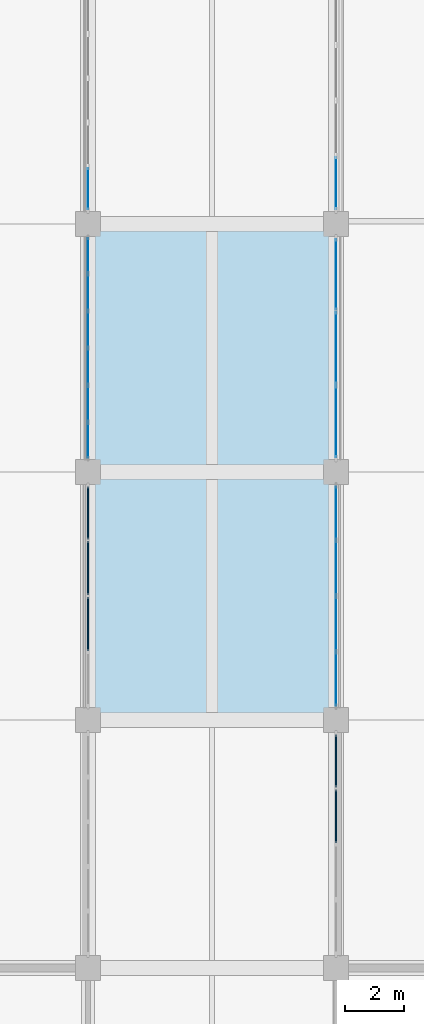
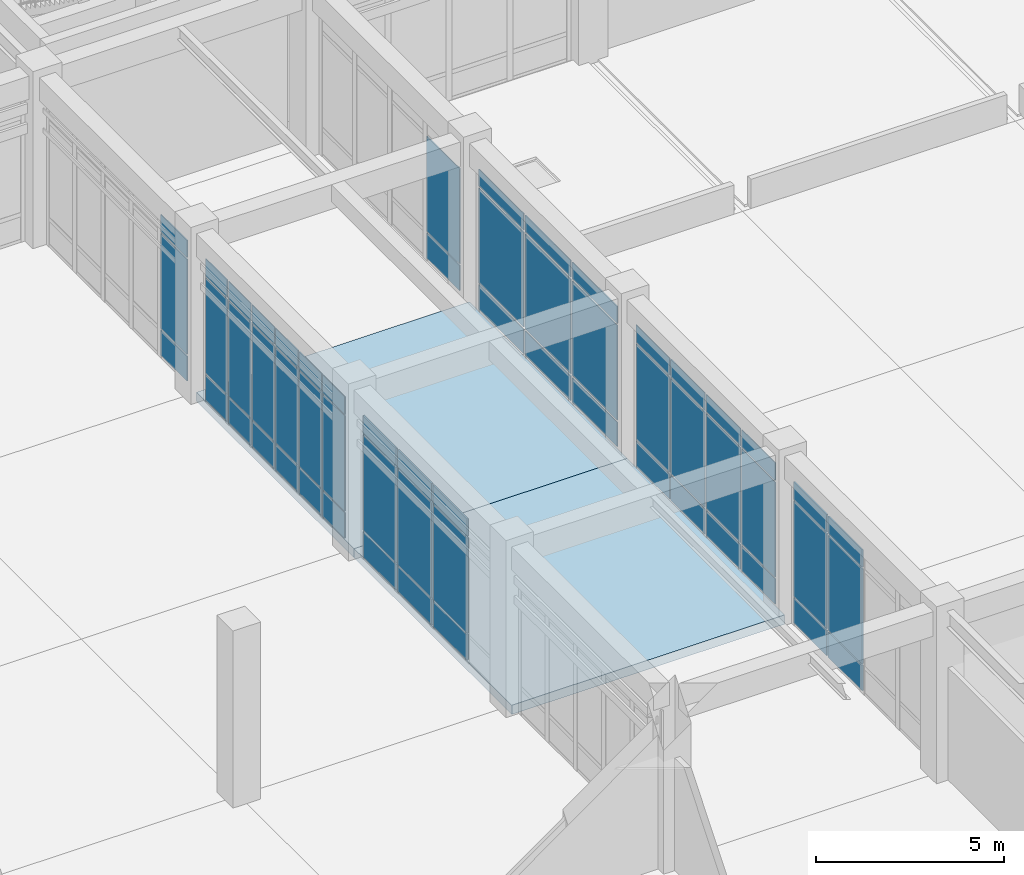
# One storey, part 53 of 91: 59 plates, 2 slabs, 7 elements without a shape of their own.
"""IFC4 building model written with IfcOpenShell, lengths in metres."""

from ifc_helpers import new_model, si_unit, direction, frame, origin, origin_2d, place, context, subcontext, project, spatial, polyline, rectangle, outline, extrude, material, layer, layer_set, type_object, element, aggregate, save


model = new_model("IFC4")

# Units and contexts
model_context = context("Model", 3, precision=1e-05, world=origin(), true_north=direction((0.0, 1.0)))
body_context = subcontext(model_context, "Body", "Model", "MODEL_VIEW")
ifc_project = project(units=[si_unit("LENGTHUNIT", "METRE"), si_unit("AREAUNIT", "SQUARE_METRE"), si_unit("VOLUMEUNIT", "CUBIC_METRE"), si_unit("PLANEANGLEUNIT", "RADIAN"), si_unit("MASSUNIT", "GRAM", prefix="KILO")], contexts=[model_context])

# Site, building, storey
site_placement = place(None, origin())
site = spatial("IfcSite", under=ifc_project, at=site_placement, CompositionType="ELEMENT")
building_placement = place(site_placement, origin())
building = spatial("IfcBuilding", under=site, at=building_placement, Name="Porcellanite Civic Hall", CompositionType="ELEMENT")
storey_placement = place(building_placement, origin())
storey = spatial("IfcBuildingStorey", under=building, at=storey_placement, Name="L00", CompositionType="ELEMENT", Elevation=0.0)

# Curtain wall, plates
ifc_material_1 = material(Name="Anodised aluminium and solar laminated glass", Category="aluminium")
ifc_layer_1 = layer(ifc_material_1, 0.179931640625)
ifc_layer_set_1 = layer_set([ifc_layer_1], Name="Anodised aluminium and solar laminated glass")
curtain_wall_type_1 = type_object("IfcCurtainWallType", Name="CW-SYS06", PredefinedType="NOTDEFINED", material=ifc_layer_set_1)
curtain_wall_1_placement = place(storey_placement, origin())
curtain_wall_1 = element("IfcCurtainWall", 1, at=curtain_wall_1_placement, inside=storey, type_object=curtain_wall_type_1, Name="Curtain wall CW-020", PredefinedType="NOTDEFINED")
ifc_material_2 = material(Name="Cyclone laminated solar-control low-E glass", Category="glass")
ifc_layer_2 = layer(ifc_material_2, 0.02392578125)
ifc_layer_set_2 = layer_set([ifc_layer_2], Name="Cyclone laminated solar-control low-E glass")
plate_type_1 = type_object("IfcPlateType", Name="CWP-01", PredefinedType="CURTAIN_PANEL", material=ifc_layer_set_2)
plate_1_placement = place(storey_placement, frame((58.800048828125, 82.6142578125, 0.0498046875), z_axis=(0.0, 0.0, 1.0), x_axis=(0.0, -1.0, 0.0)))
plate_1 = element("IfcPlate", 2, at=plate_1_placement, type_object=plate_type_1, Name="CW-020 panel 1.1", PredefinedType="CURTAIN_PANEL", context=body_context, shape_type="SweptSolid", body=[
    extrude(rectangle(XDim=1.78955078125, YDim=0.02392578125, at=origin_2d()), origin(), (0.0, 0.0, 1.0), 0.824951171875),
])
plate_2_placement = place(storey_placement, frame((58.800048828125, 82.6142578125, 0.925048828125), z_axis=(0.0, 0.0, 1.0), x_axis=(0.0, -1.0, 0.0)))
plate_2 = element("IfcPlate", 3, at=plate_2_placement, type_object=plate_type_1, Name="CW-020 panel 1.2", PredefinedType="CURTAIN_PANEL", context=body_context, shape_type="SweptSolid", body=[
    extrude(rectangle(XDim=1.78955078125, YDim=0.02392578125, at=origin_2d()), origin(), (0.0, 0.0, 1.0), 3.10009765625),
])
plate_3_placement = place(storey_placement, frame((58.800048828125, 82.6142578125, 4.0751953125), z_axis=(0.0, 0.0, 1.0), x_axis=(0.0, -1.0, 0.0)))
plate_3 = element("IfcPlate", 4, at=plate_3_placement, type_object=plate_type_1, Name="CW-020 panel 1.3", PredefinedType="CURTAIN_PANEL", context=body_context, shape_type="SweptSolid", body=[
    extrude(rectangle(XDim=1.78955078125, YDim=0.02392578125, at=origin_2d()), origin(), (0.0, 0.0, 1.0), 0.574951171875),
])
plate_4_placement = place(storey_placement, frame((58.800048828125, 80.743408203125, 0.0498046875), z_axis=(0.0, 0.0, 1.0), x_axis=(0.0, -1.0, 0.0)))
plate_4 = element("IfcPlate", 5, at=plate_4_placement, type_object=plate_type_1, Name="CW-020 panel 2.1", PredefinedType="CURTAIN_PANEL", context=body_context, shape_type="SweptSolid", body=[
    extrude(rectangle(XDim=1.822021484375, YDim=0.02392578125, at=origin_2d()), origin(), (0.0, 0.0, 1.0), 0.824951171875),
])
plate_5_placement = place(storey_placement, frame((58.800048828125, 80.743408203125, 0.925048828125), z_axis=(0.0, 0.0, 1.0), x_axis=(0.0, -1.0, 0.0)))
plate_5 = element("IfcPlate", 6, at=plate_5_placement, type_object=plate_type_1, Name="CW-020 panel 2.2", PredefinedType="CURTAIN_PANEL", context=body_context, shape_type="SweptSolid", body=[
    extrude(rectangle(XDim=1.822021484375, YDim=0.02392578125, at=origin_2d()), origin(), (0.0, 0.0, 1.0), 3.10009765625),
])
plate_6_placement = place(storey_placement, frame((58.800048828125, 80.743408203125, 4.0751953125), z_axis=(0.0, 0.0, 1.0), x_axis=(0.0, -1.0, 0.0)))
plate_6 = element("IfcPlate", 7, at=plate_6_placement, type_object=plate_type_1, Name="CW-020 panel 2.3", PredefinedType="CURTAIN_PANEL", context=body_context, shape_type="SweptSolid", body=[
    extrude(rectangle(XDim=1.822021484375, YDim=0.02392578125, at=origin_2d()), origin(), (0.0, 0.0, 1.0), 0.574951171875),
])
plate_7_placement = place(storey_placement, frame((58.800048828125, 78.8564453125, 0.0498046875), z_axis=(0.0, 0.0, 1.0), x_axis=(0.0, -1.0, 0.0)))
plate_7 = element("IfcPlate", 8, at=plate_7_placement, type_object=plate_type_1, Name="CW-020 panel 3.1", PredefinedType="CURTAIN_PANEL", context=body_context, shape_type="SweptSolid", body=[
    extrude(rectangle(XDim=1.822021484375, YDim=0.02392578125, at=origin_2d()), origin(), (0.0, 0.0, 1.0), 0.824951171875),
])
plate_8_placement = place(storey_placement, frame((58.800048828125, 78.8564453125, 0.925048828125), z_axis=(0.0, 0.0, 1.0), x_axis=(0.0, -1.0, 0.0)))
plate_8 = element("IfcPlate", 9, at=plate_8_placement, type_object=plate_type_1, Name="CW-020 panel 3.2", PredefinedType="CURTAIN_PANEL", context=body_context, shape_type="SweptSolid", body=[
    extrude(rectangle(XDim=1.822021484375, YDim=0.02392578125, at=origin_2d()), origin(), (0.0, 0.0, 1.0), 3.10009765625),
])
plate_9_placement = place(storey_placement, frame((58.800048828125, 78.8564453125, 4.0751953125), z_axis=(0.0, 0.0, 1.0), x_axis=(0.0, -1.0, 0.0)))
plate_9 = element("IfcPlate", 10, at=plate_9_placement, type_object=plate_type_1, Name="CW-020 panel 3.3", PredefinedType="CURTAIN_PANEL", context=body_context, shape_type="SweptSolid", body=[
    extrude(rectangle(XDim=1.822021484375, YDim=0.02392578125, at=origin_2d()), origin(), (0.0, 0.0, 1.0), 0.574951171875),
])
plate_10_placement = place(storey_placement, frame((58.800048828125, 76.98583984375, 0.0498046875), z_axis=(0.0, 0.0, 1.0), x_axis=(0.0, -1.0, 0.0)))
plate_10 = element("IfcPlate", 11, at=plate_10_placement, type_object=plate_type_1, Name="CW-020 panel 4.1", PredefinedType="CURTAIN_PANEL", context=body_context, shape_type="SweptSolid", body=[
    extrude(rectangle(XDim=1.78955078125, YDim=0.02392578125, at=origin_2d()), origin(), (0.0, 0.0, 1.0), 0.824951171875),
])
plate_11_placement = place(storey_placement, frame((58.800048828125, 76.98583984375, 0.925048828125), z_axis=(0.0, 0.0, 1.0), x_axis=(0.0, -1.0, 0.0)))
plate_11 = element("IfcPlate", 12, at=plate_11_placement, type_object=plate_type_1, Name="CW-020 panel 4.2", PredefinedType="CURTAIN_PANEL", context=body_context, shape_type="SweptSolid", body=[
    extrude(rectangle(XDim=1.78955078125, YDim=0.02392578125, at=origin_2d()), origin(), (0.0, 0.0, 1.0), 3.10009765625),
])
plate_12_placement = place(storey_placement, frame((58.800048828125, 76.98583984375, 4.0751953125), z_axis=(0.0, 0.0, 1.0), x_axis=(0.0, -1.0, 0.0)))
plate_12 = element("IfcPlate", 13, at=plate_12_placement, type_object=plate_type_1, Name="CW-020 panel 4.3", PredefinedType="CURTAIN_PANEL", context=body_context, shape_type="SweptSolid", body=[
    extrude(rectangle(XDim=1.78955078125, YDim=0.02392578125, at=origin_2d()), origin(), (0.0, 0.0, 1.0), 0.574951171875),
])
aggregate(curtain_wall_1, [plate_1, plate_2, plate_3, plate_4, plate_5, plate_6, plate_7, plate_8, plate_9, plate_10, plate_11, plate_12])

ifc_material_3 = material(Name="Anodised aluminium and solar laminated glass", Category="aluminium")
ifc_layer_3 = layer(ifc_material_3, 0.179931640625)
ifc_layer_set_3 = layer_set([ifc_layer_3], Name="Anodised aluminium and solar laminated glass")
curtain_wall_type_2 = type_object("IfcCurtainWallType", Name="CW-SYS07", PredefinedType="NOTDEFINED", material=ifc_layer_set_3)
curtain_wall_2_placement = place(storey_placement, origin())
curtain_wall_2 = element("IfcCurtainWall", 14, at=curtain_wall_2_placement, inside=storey, type_object=curtain_wall_type_2, Name="Curtain wall CW-021", PredefinedType="NOTDEFINED")
ifc_material_4 = material(Name="Cyclone laminated solar-control low-E glass", Category="glass")
ifc_layer_4 = layer(ifc_material_4, 0.02587890625)
ifc_layer_set_4 = layer_set([ifc_layer_4], Name="Cyclone laminated solar-control low-E glass")
plate_type_2 = type_object("IfcPlateType", Name="CWP-02", PredefinedType="CURTAIN_PANEL", material=ifc_layer_set_4)
plate_13_placement = place(storey_placement, frame((50.39990234375, 85.070068359375, 0.0498046875), z_axis=(0.0, 0.0, 1.0), x_axis=(0.0, 1.0, 0.0)))
plate_13 = element("IfcPlate", 15, at=plate_13_placement, type_object=plate_type_2, Name="CW-021 panel 1.1", PredefinedType="CURTAIN_PANEL", context=body_context, shape_type="SweptSolid", body=[
    extrude(rectangle(XDim=1.16796875, YDim=0.02587890625, at=origin_2d()), origin(), (0.0, 0.0, 1.0), 0.824951171875),
])
plate_14_placement = place(storey_placement, frame((50.39990234375, 85.070068359375, 0.925048828125), z_axis=(0.0, 0.0, 1.0), x_axis=(0.0, 1.0, 0.0)))
plate_14 = element("IfcPlate", 16, at=plate_14_placement, type_object=plate_type_2, Name="CW-021 panel 1.2", PredefinedType="CURTAIN_PANEL", context=body_context, shape_type="SweptSolid", body=[
    extrude(rectangle(XDim=1.16796875, YDim=0.02587890625, at=origin_2d()), origin(), (0.0, 0.0, 1.0), 3.10009765625),
])
plate_15_placement = place(storey_placement, frame((50.39990234375, 85.070068359375, 4.0751953125), z_axis=(0.0, 0.0, 1.0), x_axis=(0.0, 1.0, 0.0)))
plate_15 = element("IfcPlate", 17, at=plate_15_placement, type_object=plate_type_2, Name="CW-021 panel 1.3", PredefinedType="CURTAIN_PANEL", context=body_context, shape_type="SweptSolid", body=[
    extrude(rectangle(XDim=1.16796875, YDim=0.02587890625, at=origin_2d()), origin(), (0.0, 0.0, 1.0), 0.574951171875),
])
plate_16_placement = place(storey_placement, frame((50.39990234375, 86.31298828125, 0.0498046875), z_axis=(0.0, 0.0, 1.0), x_axis=(0.0, 1.0, 0.0)))
plate_16 = element("IfcPlate", 18, at=plate_16_placement, type_object=plate_type_2, Name="CW-021 panel 2.1", PredefinedType="CURTAIN_PANEL", context=body_context, shape_type="SweptSolid", body=[
    extrude(rectangle(XDim=1.197998046875, YDim=0.02587890625, at=origin_2d()), origin(), (0.0, 0.0, 1.0), 0.824951171875),
])
plate_17_placement = place(storey_placement, frame((50.39990234375, 86.31298828125, 0.925048828125), z_axis=(0.0, 0.0, 1.0), x_axis=(0.0, 1.0, 0.0)))
plate_17 = element("IfcPlate", 19, at=plate_17_placement, type_object=plate_type_2, Name="CW-021 panel 2.2", PredefinedType="CURTAIN_PANEL", context=body_context, shape_type="SweptSolid", body=[
    extrude(rectangle(XDim=1.197998046875, YDim=0.02587890625, at=origin_2d()), origin(), (0.0, 0.0, 1.0), 3.10009765625),
])
plate_18_placement = place(storey_placement, frame((50.39990234375, 86.31298828125, 4.0751953125), z_axis=(0.0, 0.0, 1.0), x_axis=(0.0, 1.0, 0.0)))
plate_18 = element("IfcPlate", 20, at=plate_18_placement, type_object=plate_type_2, Name="CW-021 panel 2.3", PredefinedType="CURTAIN_PANEL", context=body_context, shape_type="SweptSolid", body=[
    extrude(rectangle(XDim=1.197998046875, YDim=0.02587890625, at=origin_2d()), origin(), (0.0, 0.0, 1.0), 0.574951171875),
])
plate_19_placement = place(storey_placement, frame((50.39990234375, 87.571044921875, 0.0498046875), z_axis=(0.0, 0.0, 1.0), x_axis=(0.0, 1.0, 0.0)))
plate_19 = element("IfcPlate", 21, at=plate_19_placement, type_object=plate_type_2, Name="CW-021 panel 3.1", PredefinedType="CURTAIN_PANEL", context=body_context, shape_type="SweptSolid", body=[
    extrude(rectangle(XDim=1.197998046875, YDim=0.02587890625, at=origin_2d()), origin(), (0.0, 0.0, 1.0), 0.824951171875),
])
plate_20_placement = place(storey_placement, frame((50.39990234375, 87.571044921875, 0.925048828125), z_axis=(0.0, 0.0, 1.0), x_axis=(0.0, 1.0, 0.0)))
plate_20 = element("IfcPlate", 22, at=plate_20_placement, type_object=plate_type_2, Name="CW-021 panel 3.2", PredefinedType="CURTAIN_PANEL", context=body_context, shape_type="SweptSolid", body=[
    extrude(rectangle(XDim=1.197998046875, YDim=0.02587890625, at=origin_2d()), origin(), (0.0, 0.0, 1.0), 3.10009765625),
])
plate_21_placement = place(storey_placement, frame((50.39990234375, 87.571044921875, 4.0751953125), z_axis=(0.0, 0.0, 1.0), x_axis=(0.0, 1.0, 0.0)))
plate_21 = element("IfcPlate", 23, at=plate_21_placement, type_object=plate_type_2, Name="CW-021 panel 3.3", PredefinedType="CURTAIN_PANEL", context=body_context, shape_type="SweptSolid", body=[
    extrude(rectangle(XDim=1.197998046875, YDim=0.02587890625, at=origin_2d()), origin(), (0.0, 0.0, 1.0), 0.574951171875),
])
plate_22_placement = place(storey_placement, frame((50.39990234375, 88.8291015625, 0.0498046875), z_axis=(0.0, 0.0, 1.0), x_axis=(0.0, 1.0, 0.0)))
plate_22 = element("IfcPlate", 24, at=plate_22_placement, type_object=plate_type_2, Name="CW-021 panel 4.1", PredefinedType="CURTAIN_PANEL", context=body_context, shape_type="SweptSolid", body=[
    extrude(rectangle(XDim=1.197998046875, YDim=0.02587890625, at=origin_2d()), origin(), (0.0, 0.0, 1.0), 0.824951171875),
])
plate_23_placement = place(storey_placement, frame((50.39990234375, 88.8291015625, 0.925048828125), z_axis=(0.0, 0.0, 1.0), x_axis=(0.0, 1.0, 0.0)))
plate_23 = element("IfcPlate", 25, at=plate_23_placement, type_object=plate_type_2, Name="CW-021 panel 4.2", PredefinedType="CURTAIN_PANEL", context=body_context, shape_type="SweptSolid", body=[
    extrude(rectangle(XDim=1.197998046875, YDim=0.02587890625, at=origin_2d()), origin(), (0.0, 0.0, 1.0), 3.10009765625),
])
plate_24_placement = place(storey_placement, frame((50.39990234375, 88.8291015625, 4.0751953125), z_axis=(0.0, 0.0, 1.0), x_axis=(0.0, 1.0, 0.0)))
plate_24 = element("IfcPlate", 26, at=plate_24_placement, type_object=plate_type_2, Name="CW-021 panel 4.3", PredefinedType="CURTAIN_PANEL", context=body_context, shape_type="SweptSolid", body=[
    extrude(rectangle(XDim=1.197998046875, YDim=0.02587890625, at=origin_2d()), origin(), (0.0, 0.0, 1.0), 0.574951171875),
])
plate_25_placement = place(storey_placement, frame((50.39990234375, 90.0869140625, 0.0498046875), z_axis=(0.0, 0.0, 1.0), x_axis=(0.0, 1.0, 0.0)))
plate_25 = element("IfcPlate", 27, at=plate_25_placement, type_object=plate_type_2, Name="CW-021 panel 5.1", PredefinedType="CURTAIN_PANEL", context=body_context, shape_type="SweptSolid", body=[
    extrude(rectangle(XDim=1.197998046875, YDim=0.02587890625, at=origin_2d()), origin(), (0.0, 0.0, 1.0), 0.824951171875),
])
plate_26_placement = place(storey_placement, frame((50.39990234375, 90.0869140625, 0.925048828125), z_axis=(0.0, 0.0, 1.0), x_axis=(0.0, 1.0, 0.0)))
plate_26 = element("IfcPlate", 28, at=plate_26_placement, type_object=plate_type_2, Name="CW-021 panel 5.2", PredefinedType="CURTAIN_PANEL", context=body_context, shape_type="SweptSolid", body=[
    extrude(rectangle(XDim=1.197998046875, YDim=0.02587890625, at=origin_2d()), origin(), (0.0, 0.0, 1.0), 3.10009765625),
])
plate_27_placement = place(storey_placement, frame((50.39990234375, 90.0869140625, 4.0751953125), z_axis=(0.0, 0.0, 1.0), x_axis=(0.0, 1.0, 0.0)))
plate_27 = element("IfcPlate", 29, at=plate_27_placement, type_object=plate_type_2, Name="CW-021 panel 5.3", PredefinedType="CURTAIN_PANEL", context=body_context, shape_type="SweptSolid", body=[
    extrude(rectangle(XDim=1.197998046875, YDim=0.02587890625, at=origin_2d()), origin(), (0.0, 0.0, 1.0), 0.574951171875),
])
plate_28_placement = place(storey_placement, frame((50.39990234375, 91.330078125, 0.0498046875), z_axis=(0.0, 0.0, 1.0), x_axis=(0.0, 1.0, 0.0)))
plate_28 = element("IfcPlate", 30, at=plate_28_placement, type_object=plate_type_2, Name="CW-021 panel 6.1", PredefinedType="CURTAIN_PANEL", context=body_context, shape_type="SweptSolid", body=[
    extrude(rectangle(XDim=1.16796875, YDim=0.02587890625, at=origin_2d()), origin(), (0.0, 0.0, 1.0), 0.824951171875),
])
plate_29_placement = place(storey_placement, frame((50.39990234375, 91.330078125, 0.925048828125), z_axis=(0.0, 0.0, 1.0), x_axis=(0.0, 1.0, 0.0)))
plate_29 = element("IfcPlate", 31, at=plate_29_placement, type_object=plate_type_2, Name="CW-021 panel 6.2", PredefinedType="CURTAIN_PANEL", context=body_context, shape_type="SweptSolid", body=[
    extrude(rectangle(XDim=1.16796875, YDim=0.02587890625, at=origin_2d()), origin(), (0.0, 0.0, 1.0), 3.10009765625),
])
plate_30_placement = place(storey_placement, frame((50.39990234375, 91.330078125, 4.0751953125), z_axis=(0.0, 0.0, 1.0), x_axis=(0.0, 1.0, 0.0)))
plate_30 = element("IfcPlate", 32, at=plate_30_placement, type_object=plate_type_2, Name="CW-021 panel 6.3", PredefinedType="CURTAIN_PANEL", context=body_context, shape_type="SweptSolid", body=[
    extrude(rectangle(XDim=1.16796875, YDim=0.02587890625, at=origin_2d()), origin(), (0.0, 0.0, 1.0), 0.574951171875),
])
aggregate(curtain_wall_2, [plate_13, plate_14, plate_15, plate_16, plate_17, plate_18, plate_19, plate_20, plate_21, plate_22, plate_23, plate_24, plate_25, plate_26, plate_27, plate_28, plate_29, plate_30])

ifc_material_5 = material(Name="Anodised aluminium and solar laminated glass", Category="aluminium")
ifc_layer_5 = layer(ifc_material_5, 0.179931640625)
ifc_layer_set_5 = layer_set([ifc_layer_5], Name="Anodised aluminium and solar laminated glass")
curtain_wall_type_3 = type_object("IfcCurtainWallType", Name="CW-SYS08", PredefinedType="NOTDEFINED", material=ifc_layer_set_5)
curtain_wall_3_placement = place(storey_placement, origin())
curtain_wall_3 = element("IfcCurtainWall", 33, at=curtain_wall_3_placement, inside=storey, type_object=curtain_wall_type_3, Name="Curtain wall CW-022", PredefinedType="NOTDEFINED")
ifc_material_6 = material(Name="Cyclone laminated solar-control low-E glass", Category="glass")
ifc_layer_6 = layer(ifc_material_6, 0.028076171875)
ifc_layer_set_6 = layer_set([ifc_layer_6], Name="Cyclone laminated solar-control low-E glass")
plate_type_3 = type_object("IfcPlateType", Name="CWP-03", PredefinedType="CURTAIN_PANEL", material=ifc_layer_set_6)
plate_31_placement = place(storey_placement, frame((58.800048828125, 90.696044921875, 0.070068359375), z_axis=(0.0, 0.0, 1.0), x_axis=(0.0, -1.0, 0.0)))
plate_31 = element("IfcPlate", 34, at=plate_31_placement, type_object=plate_type_3, Name="CW-022 panel 1.1", PredefinedType="CURTAIN_PANEL", context=body_context, shape_type="SweptSolid", body=[
    extrude(rectangle(XDim=2.39599609375, YDim=0.028076171875, at=origin_2d()), origin(), (0.0, 0.0, 1.0), 0.794921875),
])
plate_32_placement = place(storey_placement, frame((58.800048828125, 90.696044921875, 0.93505859375), z_axis=(0.0, 0.0, 1.0), x_axis=(0.0, -1.0, 0.0)))
plate_32 = element("IfcPlate", 35, at=plate_32_placement, type_object=plate_type_3, Name="CW-022 panel 1.2", PredefinedType="CURTAIN_PANEL", context=body_context, shape_type="SweptSolid", body=[
    extrude(rectangle(XDim=2.39599609375, YDim=0.028076171875, at=origin_2d()), origin(), (0.0, 0.0, 1.0), 3.080078125),
])
plate_33_placement = place(storey_placement, frame((58.800048828125, 90.696044921875, 4.0849609375), z_axis=(0.0, 0.0, 1.0), x_axis=(0.0, -1.0, 0.0)))
plate_33 = element("IfcPlate", 36, at=plate_33_placement, type_object=plate_type_3, Name="CW-022 panel 1.3", PredefinedType="CURTAIN_PANEL", context=body_context, shape_type="SweptSolid", body=[
    extrude(rectangle(XDim=2.39599609375, YDim=0.028076171875, at=origin_2d()), origin(), (0.0, 0.0, 1.0), 0.544921875),
])
plate_34_placement = place(storey_placement, frame((58.800048828125, 88.199951171875, 0.070068359375), z_axis=(0.0, 0.0, 1.0), x_axis=(0.0, -1.0, 0.0)))
plate_34 = element("IfcPlate", 37, at=plate_34_placement, type_object=plate_type_3, Name="CW-022 panel 2.1", PredefinedType="CURTAIN_PANEL", context=body_context, shape_type="SweptSolid", body=[
    extrude(rectangle(XDim=2.43603515625, YDim=0.028076171875, at=origin_2d()), origin(), (0.0, 0.0, 1.0), 0.794921875),
])
plate_35_placement = place(storey_placement, frame((58.800048828125, 88.199951171875, 0.93505859375), z_axis=(0.0, 0.0, 1.0), x_axis=(0.0, -1.0, 0.0)))
plate_35 = element("IfcPlate", 38, at=plate_35_placement, type_object=plate_type_3, Name="CW-022 panel 2.2", PredefinedType="CURTAIN_PANEL", context=body_context, shape_type="SweptSolid", body=[
    extrude(rectangle(XDim=2.43603515625, YDim=0.028076171875, at=origin_2d()), origin(), (0.0, 0.0, 1.0), 3.080078125),
])
plate_36_placement = place(storey_placement, frame((58.800048828125, 88.199951171875, 4.0849609375), z_axis=(0.0, 0.0, 1.0), x_axis=(0.0, -1.0, 0.0)))
plate_36 = element("IfcPlate", 39, at=plate_36_placement, type_object=plate_type_3, Name="CW-022 panel 2.3", PredefinedType="CURTAIN_PANEL", context=body_context, shape_type="SweptSolid", body=[
    extrude(rectangle(XDim=2.43603515625, YDim=0.028076171875, at=origin_2d()), origin(), (0.0, 0.0, 1.0), 0.544921875),
])
plate_37_placement = place(storey_placement, frame((58.800048828125, 85.7041015625, 0.070068359375), z_axis=(0.0, 0.0, 1.0), x_axis=(0.0, -1.0, 0.0)))
plate_37 = element("IfcPlate", 40, at=plate_37_placement, type_object=plate_type_3, Name="CW-022 panel 3.1", PredefinedType="CURTAIN_PANEL", context=body_context, shape_type="SweptSolid", body=[
    extrude(rectangle(XDim=2.39599609375, YDim=0.028076171875, at=origin_2d()), origin(), (0.0, 0.0, 1.0), 0.794921875),
])
plate_38_placement = place(storey_placement, frame((58.800048828125, 85.7041015625, 0.93505859375), z_axis=(0.0, 0.0, 1.0), x_axis=(0.0, -1.0, 0.0)))
plate_38 = element("IfcPlate", 41, at=plate_38_placement, type_object=plate_type_3, Name="CW-022 panel 3.2", PredefinedType="CURTAIN_PANEL", context=body_context, shape_type="SweptSolid", body=[
    extrude(rectangle(XDim=2.39599609375, YDim=0.028076171875, at=origin_2d()), origin(), (0.0, 0.0, 1.0), 3.080078125),
])
plate_39_placement = place(storey_placement, frame((58.800048828125, 85.7041015625, 4.0849609375), z_axis=(0.0, 0.0, 1.0), x_axis=(0.0, -1.0, 0.0)))
plate_39 = element("IfcPlate", 42, at=plate_39_placement, type_object=plate_type_3, Name="CW-022 panel 3.3", PredefinedType="CURTAIN_PANEL", context=body_context, shape_type="SweptSolid", body=[
    extrude(rectangle(XDim=2.39599609375, YDim=0.028076171875, at=origin_2d()), origin(), (0.0, 0.0, 1.0), 0.544921875),
])
aggregate(curtain_wall_3, [plate_31, plate_32, plate_33, plate_34, plate_35, plate_36, plate_37, plate_38, plate_39])

ifc_material_7 = material(Name="Anodised aluminium and solar laminated glass", Category="aluminium")
ifc_layer_7 = layer(ifc_material_7, 0.179931640625)
ifc_layer_set_7 = layer_set([ifc_layer_7], Name="Anodised aluminium and solar laminated glass")
curtain_wall_type_4 = type_object("IfcCurtainWallType", Name="CW-SYS01", PredefinedType="NOTDEFINED", material=ifc_layer_set_7)
curtain_wall_4_placement = place(storey_placement, origin())
curtain_wall_4 = element("IfcCurtainWall", 43, at=curtain_wall_4_placement, inside=storey, type_object=curtain_wall_type_4, Name="Curtain wall CW-023", PredefinedType="NOTDEFINED")
ifc_material_8 = material(Name="Cyclone laminated solar-control low-E glass", Category="glass")
ifc_layer_8 = layer(ifc_material_8, 0.030029296875)
ifc_layer_set_8 = layer_set([ifc_layer_8], Name="Cyclone laminated solar-control low-E glass")
plate_type_4 = type_object("IfcPlateType", Name="CWP-04", PredefinedType="CURTAIN_PANEL", material=ifc_layer_set_8)
plate_40_placement = place(storey_placement, frame((50.39990234375, 93.595703125, 0.06005859375), z_axis=(0.0, 0.0, 1.0), x_axis=(0.0, 1.0, 0.0)))
plate_40 = element("IfcPlate", 44, at=plate_40_placement, type_object=plate_type_4, Name="CW-023 panel 1.1", PredefinedType="CURTAIN_PANEL", context=body_context, shape_type="SweptSolid", body=[
    extrude(rectangle(XDim=1.399658203125, YDim=0.030029296875, at=origin_2d()), origin(), (0.0, 0.0, 1.0), 0.81005859375),
])
plate_41_placement = place(storey_placement, frame((50.39990234375, 93.595703125, 0.93017578125), z_axis=(0.0, 0.0, 1.0), x_axis=(0.0, 1.0, 0.0)))
plate_41 = element("IfcPlate", 45, at=plate_41_placement, type_object=plate_type_4, Name="CW-023 panel 1.2", PredefinedType="CURTAIN_PANEL", context=body_context, shape_type="SweptSolid", body=[
    extrude(rectangle(XDim=1.399658203125, YDim=0.030029296875, at=origin_2d()), origin(), (0.0, 0.0, 1.0), 3.090087890625),
])
plate_42_placement = place(storey_placement, frame((50.39990234375, 93.595703125, 4.080078125), z_axis=(0.0, 0.0, 1.0), x_axis=(0.0, 1.0, 0.0)))
plate_42 = element("IfcPlate", 46, at=plate_42_placement, type_object=plate_type_4, Name="CW-023 panel 1.3", PredefinedType="CURTAIN_PANEL", context=body_context, shape_type="SweptSolid", body=[
    extrude(rectangle(XDim=1.399658203125, YDim=0.030029296875, at=origin_2d()), origin(), (0.0, 0.0, 1.0), 0.56005859375),
])
aggregate(curtain_wall_4, [plate_40, plate_41, plate_42])

ifc_material_9 = material(Name="Anodised aluminium and solar laminated glass", Category="aluminium")
ifc_layer_9 = layer(ifc_material_9, 0.179931640625)
ifc_layer_set_9 = layer_set([ifc_layer_9], Name="Anodised aluminium and solar laminated glass")
curtain_wall_type_5 = type_object("IfcCurtainWallType", Name="CW-SYS03", PredefinedType="NOTDEFINED", material=ifc_layer_set_9)
curtain_wall_5_placement = place(storey_placement, origin())
curtain_wall_5 = element("IfcCurtainWall", 47, at=curtain_wall_5_placement, inside=storey, type_object=curtain_wall_type_5, Name="Curtain wall CW-024", PredefinedType="NOTDEFINED")
ifc_material_10 = material(Name="Cyclone laminated solar-control low-E glass", Category="glass")
ifc_layer_10 = layer(ifc_material_10, 0.031982421875)
ifc_layer_set_10 = layer_set([ifc_layer_10], Name="Cyclone laminated solar-control low-E glass")
plate_type_5 = type_object("IfcPlateType", Name="CWP-05", PredefinedType="CURTAIN_PANEL", material=ifc_layer_set_10)
plate_43_placement = place(storey_placement, frame((58.800048828125, 93.786376953125, 0.05517578125), z_axis=(0.0, 0.0, 1.0), x_axis=(0.0, -1.0, 0.0)))
plate_43 = element("IfcPlate", 48, at=plate_43_placement, type_object=plate_type_5, Name="CW-024 panel 4.1", PredefinedType="CURTAIN_PANEL", context=body_context, shape_type="SweptSolid", body=[
    extrude(rectangle(XDim=1.7607421875, YDim=0.031982421875, at=origin_2d()), origin(), (0.0, 0.0, 1.0), 0.8173828125),
])
plate_44_placement = place(storey_placement, frame((58.800048828125, 93.786376953125, 0.927734375), z_axis=(0.0, 0.0, 1.0), x_axis=(0.0, -1.0, 0.0)))
plate_44 = element("IfcPlate", 49, at=plate_44_placement, type_object=plate_type_5, Name="CW-024 panel 4.2", PredefinedType="CURTAIN_PANEL", context=body_context, shape_type="SweptSolid", body=[
    extrude(rectangle(XDim=1.7607421875, YDim=0.031982421875, at=origin_2d()), origin(), (0.0, 0.0, 1.0), 3.094970703125),
])
aggregate(curtain_wall_5, [plate_43, plate_44])

curtain_wall_6_placement = place(storey_placement, origin())
curtain_wall_6 = element("IfcCurtainWall", 50, at=curtain_wall_6_placement, inside=storey, type_object=curtain_wall_type_5, Name="Curtain wall CW-018", PredefinedType="NOTDEFINED")
ifc_material_11 = material(Name="Insulated ochre aluminium spandrel panel", Category="aluminium")
ifc_layer_11 = layer(ifc_material_11, 0.0419921875)
ifc_layer_set_11 = layer_set([ifc_layer_11], Name="Insulated ochre aluminium spandrel panel")
plate_type_6 = type_object("IfcPlateType", Name="CWP-09", PredefinedType="CURTAIN_PANEL", material=ifc_layer_set_11)
plate_45_placement = place(storey_placement, frame((58.800048828125, 74.21044921875, 0.05517578125), z_axis=(0.0, 0.0, 1.0), x_axis=(0.0, -1.0, 0.0)))
plate_45 = element("IfcPlate", 51, at=plate_45_placement, type_object=plate_type_6, Name="CW-018 panel 1.1", PredefinedType="CURTAIN_PANEL", context=body_context, shape_type="SweptSolid", body=[
    extrude(rectangle(XDim=1.76708984375, YDim=0.0419921875, at=origin_2d()), origin(), (0.0, 0.0, 1.0), 0.8173828125),
])
plate_46_placement = place(storey_placement, frame((58.800048828125, 74.21044921875, 0.927734375), z_axis=(0.0, 0.0, 1.0), x_axis=(0.0, -1.0, 0.0)))
plate_46 = element("IfcPlate", 52, at=plate_46_placement, type_object=plate_type_6, Name="CW-018 panel 1.2", PredefinedType="CURTAIN_PANEL", context=body_context, shape_type="SweptSolid", body=[
    extrude(rectangle(XDim=1.76708984375, YDim=0.0419921875, at=origin_2d()), origin(), (0.0, 0.0, 1.0), 3.094970703125),
])
plate_47_placement = place(storey_placement, frame((58.800048828125, 74.21044921875, 4.07763671875), z_axis=(0.0, 0.0, 1.0), x_axis=(0.0, -1.0, 0.0)))
plate_47 = element("IfcPlate", 53, at=plate_47_placement, type_object=plate_type_6, Name="CW-018 panel 1.3", PredefinedType="CURTAIN_PANEL", context=body_context, shape_type="SweptSolid", body=[
    extrude(rectangle(XDim=1.76708984375, YDim=0.0419921875, at=origin_2d()), origin(), (0.0, 0.0, 1.0), 0.5673828125),
])
plate_48_placement = place(storey_placement, frame((58.800048828125, 72.343505859375, 0.05517578125), z_axis=(0.0, 0.0, 1.0), x_axis=(0.0, -1.0, 0.0)))
plate_48 = element("IfcPlate", 54, at=plate_48_placement, type_object=plate_type_6, Name="CW-018 panel 2.1", PredefinedType="CURTAIN_PANEL", context=body_context, shape_type="SweptSolid", body=[
    extrude(rectangle(XDim=1.806884765625, YDim=0.0419921875, at=origin_2d()), origin(), (0.0, 0.0, 1.0), 0.8173828125),
])
plate_49_placement = place(storey_placement, frame((58.800048828125, 72.343505859375, 0.927734375), z_axis=(0.0, 0.0, 1.0), x_axis=(0.0, -1.0, 0.0)))
plate_49 = element("IfcPlate", 55, at=plate_49_placement, type_object=plate_type_6, Name="CW-018 panel 2.2", PredefinedType="CURTAIN_PANEL", context=body_context, shape_type="SweptSolid", body=[
    extrude(rectangle(XDim=1.806884765625, YDim=0.0419921875, at=origin_2d()), origin(), (0.0, 0.0, 1.0), 3.094970703125),
])
plate_50_placement = place(storey_placement, frame((58.800048828125, 72.343505859375, 4.07763671875), z_axis=(0.0, 0.0, 1.0), x_axis=(0.0, -1.0, 0.0)))
plate_50 = element("IfcPlate", 56, at=plate_50_placement, type_object=plate_type_6, Name="CW-018 panel 2.3", PredefinedType="CURTAIN_PANEL", context=body_context, shape_type="SweptSolid", body=[
    extrude(rectangle(XDim=1.806884765625, YDim=0.0419921875, at=origin_2d()), origin(), (0.0, 0.0, 1.0), 0.5673828125),
])
aggregate(curtain_wall_6, [plate_45, plate_46, plate_47, plate_48, plate_49, plate_50])

ifc_material_12 = material(Name="Anodised aluminium and solar laminated glass", Category="aluminium")
ifc_layer_12 = layer(ifc_material_12, 0.179931640625)
ifc_layer_set_12 = layer_set([ifc_layer_12], Name="Anodised aluminium and solar laminated glass")
curtain_wall_type_6 = type_object("IfcCurtainWallType", Name="CW-SYS04", PredefinedType="NOTDEFINED", material=ifc_layer_set_12)
curtain_wall_7_placement = place(storey_placement, origin())
curtain_wall_7 = element("IfcCurtainWall", 57, at=curtain_wall_7_placement, inside=storey, type_object=curtain_wall_type_6, Name="Curtain wall CW-019", PredefinedType="NOTDEFINED")
ifc_material_13 = material(Name="Insulated ochre aluminium spandrel panel", Category="aluminium")
ifc_layer_13 = layer(ifc_material_13, 0.0458984375)
ifc_layer_set_13 = layer_set([ifc_layer_13], Name="Insulated ochre aluminium spandrel panel")
plate_type_7 = type_object("IfcPlateType", Name="CWP-10", PredefinedType="CURTAIN_PANEL", material=ifc_layer_set_13)
plate_51_placement = place(storey_placement, frame((50.39990234375, 78.8564453125, 0.05517578125), z_axis=(0.0, 0.0, 1.0), x_axis=(0.0, 1.0, 0.0)))
plate_51 = element("IfcPlate", 58, at=plate_51_placement, type_object=plate_type_7, Name="CW-019 panel 2.1", PredefinedType="CURTAIN_PANEL", context=body_context, shape_type="SweptSolid", body=[
    extrude(rectangle(XDim=1.81201171875, YDim=0.0458984375, at=origin_2d()), origin(), (0.0, 0.0, 1.0), 0.8173828125),
])
plate_52_placement = place(storey_placement, frame((50.39990234375, 78.8564453125, 0.927734375), z_axis=(0.0, 0.0, 1.0), x_axis=(0.0, 1.0, 0.0)))
plate_52 = element("IfcPlate", 59, at=plate_52_placement, type_object=plate_type_7, Name="CW-019 panel 2.2", PredefinedType="CURTAIN_PANEL", context=body_context, shape_type="SweptSolid", body=[
    extrude(rectangle(XDim=1.81201171875, YDim=0.0458984375, at=origin_2d()), origin(), (0.0, 0.0, 1.0), 3.094970703125),
])
plate_53_placement = place(storey_placement, frame((50.39990234375, 78.8564453125, 4.07763671875), z_axis=(0.0, 0.0, 1.0), x_axis=(0.0, 1.0, 0.0)))
plate_53 = element("IfcPlate", 60, at=plate_53_placement, type_object=plate_type_7, Name="CW-019 panel 2.3", PredefinedType="CURTAIN_PANEL", context=body_context, shape_type="SweptSolid", body=[
    extrude(rectangle(XDim=1.81201171875, YDim=0.0458984375, at=origin_2d()), origin(), (0.0, 0.0, 1.0), 0.5673828125),
])
plate_54_placement = place(storey_placement, frame((50.39990234375, 80.743408203125, 0.05517578125), z_axis=(0.0, 0.0, 1.0), x_axis=(0.0, 1.0, 0.0)))
plate_54 = element("IfcPlate", 61, at=plate_54_placement, type_object=plate_type_7, Name="CW-019 panel 3.1", PredefinedType="CURTAIN_PANEL", context=body_context, shape_type="SweptSolid", body=[
    extrude(rectangle(XDim=1.81201171875, YDim=0.0458984375, at=origin_2d()), origin(), (0.0, 0.0, 1.0), 0.8173828125),
])
plate_55_placement = place(storey_placement, frame((50.39990234375, 80.743408203125, 0.927734375), z_axis=(0.0, 0.0, 1.0), x_axis=(0.0, 1.0, 0.0)))
plate_55 = element("IfcPlate", 62, at=plate_55_placement, type_object=plate_type_7, Name="CW-019 panel 3.2", PredefinedType="CURTAIN_PANEL", context=body_context, shape_type="SweptSolid", body=[
    extrude(rectangle(XDim=1.81201171875, YDim=0.0458984375, at=origin_2d()), origin(), (0.0, 0.0, 1.0), 3.094970703125),
])
plate_56_placement = place(storey_placement, frame((50.39990234375, 80.743408203125, 4.07763671875), z_axis=(0.0, 0.0, 1.0), x_axis=(0.0, 1.0, 0.0)))
plate_56 = element("IfcPlate", 63, at=plate_56_placement, type_object=plate_type_7, Name="CW-019 panel 3.3", PredefinedType="CURTAIN_PANEL", context=body_context, shape_type="SweptSolid", body=[
    extrude(rectangle(XDim=1.81201171875, YDim=0.0458984375, at=origin_2d()), origin(), (0.0, 0.0, 1.0), 0.5673828125),
])
plate_57_placement = place(storey_placement, frame((50.39990234375, 82.61181640625, 0.05517578125), z_axis=(0.0, 0.0, 1.0), x_axis=(0.0, 1.0, 0.0)))
plate_57 = element("IfcPlate", 64, at=plate_57_placement, type_object=plate_type_7, Name="CW-019 panel 4.1", PredefinedType="CURTAIN_PANEL", context=body_context, shape_type="SweptSolid", body=[
    extrude(rectangle(XDim=1.7744140625, YDim=0.0458984375, at=origin_2d()), origin(), (0.0, 0.0, 1.0), 0.8173828125),
])
plate_58_placement = place(storey_placement, frame((50.39990234375, 82.61181640625, 0.927734375), z_axis=(0.0, 0.0, 1.0), x_axis=(0.0, 1.0, 0.0)))
plate_58 = element("IfcPlate", 65, at=plate_58_placement, type_object=plate_type_7, Name="CW-019 panel 4.2", PredefinedType="CURTAIN_PANEL", context=body_context, shape_type="SweptSolid", body=[
    extrude(rectangle(XDim=1.7744140625, YDim=0.0458984375, at=origin_2d()), origin(), (0.0, 0.0, 1.0), 3.094970703125),
])
plate_59_placement = place(storey_placement, frame((50.39990234375, 82.61181640625, 4.07763671875), z_axis=(0.0, 0.0, 1.0), x_axis=(0.0, 1.0, 0.0)))
plate_59 = element("IfcPlate", 66, at=plate_59_placement, type_object=plate_type_7, Name="CW-019 panel 4.3", PredefinedType="CURTAIN_PANEL", context=body_context, shape_type="SweptSolid", body=[
    extrude(rectangle(XDim=1.7744140625, YDim=0.0458984375, at=origin_2d()), origin(), (0.0, 0.0, 1.0), 0.5673828125),
])
aggregate(curtain_wall_7, [plate_51, plate_52, plate_53, plate_54, plate_55, plate_56, plate_57, plate_58, plate_59])

# Slabs
ifc_material_14 = material(Name="Concrete N40 (40 MPa)", Category="concrete")
ifc_layer_14 = layer(ifc_material_14, 0.300048828125)
ifc_layer_set_14 = layer_set([ifc_layer_14], Name="Concrete N40 (40 MPa)")
slab_type = type_object("IfcSlabType", Name="SL-TR300", PredefinedType="FLOOR", material=ifc_layer_set_14)
slab_1_placement = place(storey_placement, frame((0.0, 0.0, -0.300048828125)))
element("IfcSlab", 67, at=slab_1_placement, inside=storey, type_object=slab_type, Name="Slab L00 bay 7-10", PredefinedType="FLOOR", context=body_context, shape_type="SweptSolid", body=[
    extrude(outline(polyline([(50.39990234375, 75.60009765625), (58.800048828125, 75.60009765625), (58.800048828125, 84.0), (50.39990234375, 84.0), (50.39990234375, 75.60009765625)])), origin(), (0.0, 0.0, 1.0), 0.300048828125),
])
slab_2_placement = place(storey_placement, frame((0.0, 0.0, -0.300048828125)))
element("IfcSlab", 68, at=slab_2_placement, inside=storey, type_object=slab_type, Name="Slab L00 bay 7-11", PredefinedType="FLOOR", context=body_context, shape_type="SweptSolid", body=[
    extrude(outline(polyline([(50.39990234375, 84.0), (58.800048828125, 84.0), (58.800048828125, 92.39990234375), (50.39990234375, 92.39990234375), (50.39990234375, 84.0)])), origin(), (0.0, 0.0, 1.0), 0.300048828125),
])

save(model, "model.ifc")
